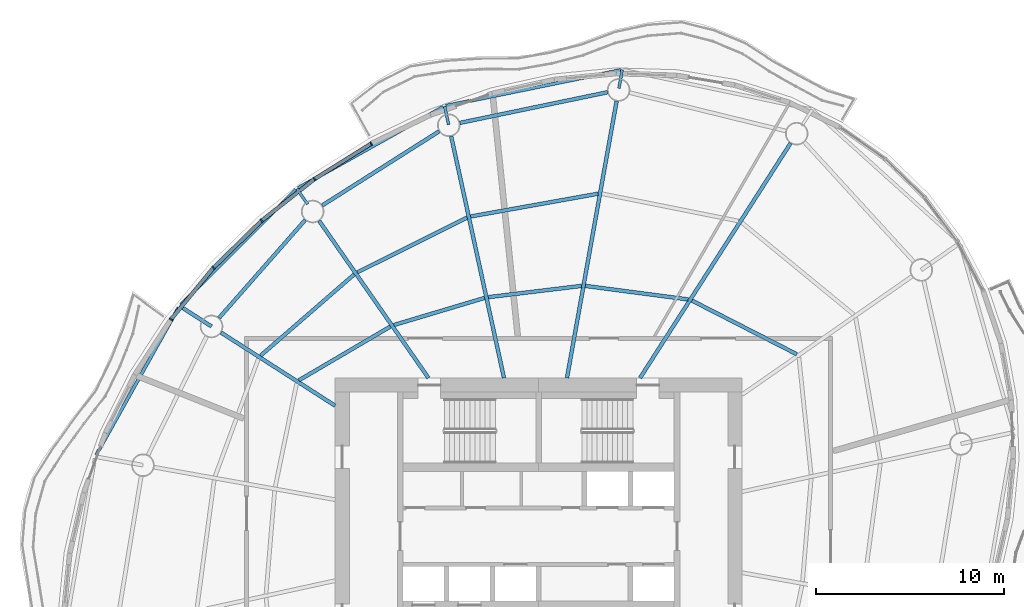
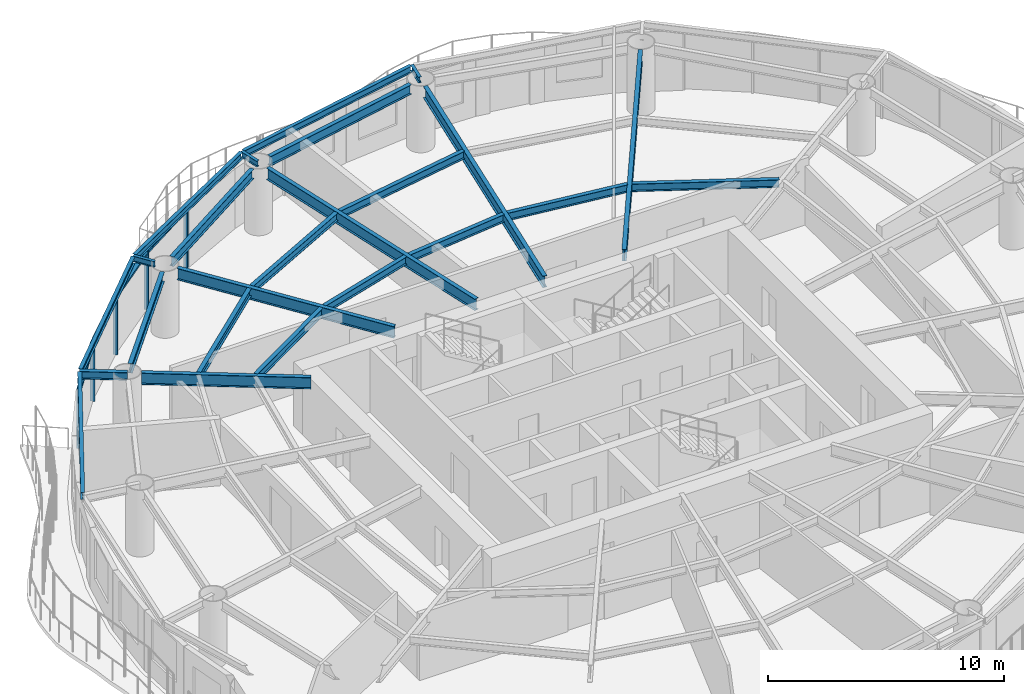
# One storey, part 5 of 14: 24 beams, 9 members, 4 elements without a shape of their own.
"""IFC4 building model written with IfcOpenShell, lengths in metres."""

import ifcopenshell
import ifcopenshell.guid

model = None  # the IFC model being written
_history = None  # IfcOwnerHistory: only IFC2X3 demands one
_inside = {}  # id of a spatial element -> (the spatial element, [elements in it])
_under = {}  # id of a project, library or spatial element -> (it, [spatial elements below it])
_declared = {}  # id of a project -> (the project, [libraries it declares])
_typed = {}  # id of a type object -> (the type object, [elements of that type])
_made_of = {}  # id of a material, layer set ... -> (it, [elements and type objects made of it])


def new_model(schema):
    """Start an empty IFC model of exactly this schema.

    Asked for "IFC4X3", IfcOpenShell would pick the latest addendum, in which some entities
    have other attributes; the version numbers below select the first issue.
    IFC2X3 requires an IfcOwnerHistory on every rooted entity: one is made here for all.
    """
    global model, _history
    if schema == "IFC4X3":
        model = ifcopenshell.file(schema_version=(4, 3, 0, 0))
    else:
        model = ifcopenshell.file(schema=schema)
    _inside.clear()
    _under.clear()
    _declared.clear()
    _typed.clear()
    _made_of.clear()
    _history = None
    if model.schema == "IFC2X3":
        org = make("IfcOrganization", Name="unknown")
        user = make(
            "IfcPersonAndOrganization",
            ThePerson=make("IfcPerson", FamilyName="unknown"),
            TheOrganization=org,
        )
        app = make(
            "IfcApplication",
            ApplicationDeveloper=org,
            Version="unknown",
            ApplicationFullName="unknown",
            ApplicationIdentifier="unknown",
        )
        _history = make(
            "IfcOwnerHistory",
            OwningUser=user,
            OwningApplication=app,
            ChangeAction="ADDED",
            CreationDate=0,
        )
    return model


def make(cls, **values):
    """One entity of the class cls with the attributes given. An attribute that is None is left unset."""
    return model.create_entity(
        cls, **{name: value for name, value in values.items() if value is not None}
    )


def rooted(cls, **values):
    """An entity with a GlobalId (a new one), such as an element, a storey or a relation."""
    return make(cls, GlobalId=ifcopenshell.guid.new(), OwnerHistory=_history, **values)


def si_unit(unit_type, name, prefix=None):
    """IfcSIUnit, for example si_unit("LENGTHUNIT", "METRE", prefix="MILLI")."""
    return make("IfcSIUnit", UnitType=unit_type, Prefix=prefix, Name=name)


def assignment(units):
    """IfcUnitAssignment: the units of a project."""
    return None if units is None else make("IfcUnitAssignment", Units=units)


def point(xyz):
    """IfcCartesianPoint."""
    return None if xyz is None else make("IfcCartesianPoint", Coordinates=xyz)


def direction(xyz):
    """IfcDirection."""
    return None if xyz is None else make("IfcDirection", DirectionRatios=xyz)


def frame(location, z_axis=None, x_axis=None):
    """IfcAxis2Placement3D, a coordinate frame: its origin and axes. An axis left out is left unset."""
    return make(
        "IfcAxis2Placement3D",
        Location=point(location),
        Axis=direction(z_axis),
        RefDirection=direction(x_axis),
    )


def frame_2d(location, x_axis=None):
    """IfcAxis2Placement2D, a coordinate frame in the plane: its origin and x axis."""
    return make(
        "IfcAxis2Placement2D", Location=point(location), RefDirection=direction(x_axis)
    )


def origin():
    """The frame at (0, 0, 0) with its axes left unset."""
    return frame((0.0, 0.0, 0.0))


def origin_2d():
    """The frame at (0, 0) in the plane with its x axis left unset."""
    return frame_2d((0.0, 0.0))


def place(relative_to, where):
    """IfcLocalPlacement: puts the frame where relative to a parent placement (None: the world)."""
    return make(
        "IfcLocalPlacement", PlacementRelTo=relative_to, RelativePlacement=where
    )


def context(
    kind, dimensions, precision=None, world=None, true_north=None, identifier=None
):
    """IfcGeometricRepresentationContext, for example the 3D "Model" context."""
    return make(
        "IfcGeometricRepresentationContext",
        ContextIdentifier=identifier,
        ContextType=kind,
        CoordinateSpaceDimension=dimensions,
        Precision=precision,
        WorldCoordinateSystem=world,
        TrueNorth=true_north,
    )


def subcontext(parent, identifier, kind, view, scale=None):
    """IfcGeometricRepresentationSubContext, for example "Body" below "Model"."""
    return make(
        "IfcGeometricRepresentationSubContext",
        ContextIdentifier=identifier,
        ContextType=kind,
        ParentContext=parent,
        TargetScale=scale,
        TargetView=view,
    )


def project(units=None, contexts=None):
    """IfcProject with its units and contexts."""
    return rooted(
        "IfcProject",
        Name="project",
        RepresentationContexts=contexts,
        UnitsInContext=assignment(units),
    )


def spatial(cls, under=None, at=None, **own):
    """A site, building, storey or space (cls), placed at a placement, below another one or the project."""
    s = rooted(cls, ObjectPlacement=at, **own)
    if under is not None:
        _under.setdefault(under.id(), (under, []))[1].append(s)
    return s


def profile(cls, at=None, kind="AREA", **sizes):
    """A parametric profile (cls). Its sizes go by their IFC names, for example OverallWidth=200.0."""
    return make(cls, ProfileType=kind, Position=at, **sizes)


def rectangle(**sizes):
    """IfcRectangleProfileDef."""
    return profile("IfcRectangleProfileDef", **sizes)


def i_section(**sizes):
    """IfcIShapeProfileDef."""
    return profile("IfcIShapeProfileDef", **sizes)


def extrude(swept, where, along, depth):
    """IfcExtrudedAreaSolid: the profile swept, set in the frame where, extruded along a direction by depth."""
    return make(
        "IfcExtrudedAreaSolid",
        SweptArea=swept,
        Position=where,
        ExtrudedDirection=direction(along),
        Depth=depth,
    )


def shape(context_of_items, identifier, shape_type, items):
    """IfcShapeRepresentation: the items that make up one representation, for example the "Body"."""
    return make(
        "IfcShapeRepresentation",
        ContextOfItems=context_of_items,
        RepresentationIdentifier=identifier,
        RepresentationType=shape_type,
        Items=items,
    )


def material(Name=None, Category=None):
    """IfcMaterial."""
    return make("IfcMaterial", Name=Name, Category=Category)


def material_profile(
    of_material, cross_section, Name=None, Category=None, Priority=None
):
    """IfcMaterialProfile: a cross section and its material."""
    return make(
        "IfcMaterialProfile",
        Name=Name,
        Material=of_material,
        Profile=cross_section,
        Priority=Priority,
        Category=Category,
    )


def profile_set(profiles, Name=None, composite=None):
    """IfcMaterialProfileSet."""
    return make(
        "IfcMaterialProfileSet",
        Name=Name,
        MaterialProfiles=profiles,
        CompositeProfile=composite,
    )


def made_of(thing, what):
    """Note that an element or type object is made of a material, layer set ...; save() writes the relation."""
    if what is not None:
        _made_of.setdefault(what.id(), (what, []))[1].append(thing)
    return thing


def type_object(cls, material=None, **own):
    """A type object (cls), such as IfcWallType, which elements share."""
    return made_of(rooted(cls, **own), material)


def element(
    cls,
    number,
    at=None,
    inside=None,
    cuts=None,
    type_object=None,
    material=None,
    context=None,
    identifier="Body",
    shape_type=None,
    held_by="IfcProductDefinitionShape",
    body=None,
    shapes=None,
    **own,
):
    """One element of the class cls, such as IfcWall. Its Tag is "e" and its number.

    at: its placement. inside: the storey or other place that contains it. cuts: it is an
    opening in that element (IfcRelVoidsElement). A single representation is given by context,
    identifier, shape_type and body (its items); several are given by shapes. held_by: the class
    of the entity that holds the representations. save() writes the other relations.
    """
    e = rooted(cls, Tag="e%d" % number, ObjectPlacement=at, **own)
    if body is not None:
        shapes = [shape(context, identifier, shape_type, body)]
    if shapes is not None:
        e.Representation = make(held_by, Representations=shapes)
    if inside is not None:
        _inside.setdefault(inside.id(), (inside, []))[1].append(e)
    if cuts is not None:
        rooted(
            "IfcRelVoidsElement", RelatingBuildingElement=cuts, RelatedOpeningElement=e
        )
    if type_object is not None:
        _typed.setdefault(type_object.id(), (type_object, []))[1].append(e)
    return made_of(e, material)


def aggregate(whole, parts):
    """IfcRelAggregates: a whole, such as a stair, and the parts it consists of."""
    return rooted("IfcRelAggregates", RelatingObject=whole, RelatedObjects=parts)


def save(model, path):
    """Write the relations noted so far, then the file.

    IfcRelAggregates (storeys below a building ...), IfcRelContainedInSpatialStructure (elements
    in a storey), IfcRelDefinesByType, IfcRelAssociatesMaterial and IfcRelDeclares: one each for
    every whole, place, type object, material and project.
    """
    for whole, parts in _under.values():
        aggregate(whole, parts)
    for where, things in _inside.values():
        rooted(
            "IfcRelContainedInSpatialStructure",
            RelatedElements=things,
            RelatingStructure=where,
        )
    for kind, things in _typed.values():
        rooted("IfcRelDefinesByType", RelatedObjects=things, RelatingType=kind)
    for what, things in _made_of.values():
        rooted("IfcRelAssociatesMaterial", RelatedObjects=things, RelatingMaterial=what)
    for by, libraries in _declared.values():
        rooted("IfcRelDeclares", RelatingContext=by, RelatedDefinitions=libraries)
    model.write(path)


model = new_model("IFC4")

# Units and contexts
model_context = context("Model", 3, precision=1e-05, world=origin(), true_north=direction((0.0, 1.0)))
body_context = subcontext(model_context, "Body", "Model", "MODEL_VIEW")
ifc_project = project(units=[si_unit("LENGTHUNIT", "METRE"), si_unit("AREAUNIT", "SQUARE_METRE"), si_unit("VOLUMEUNIT", "CUBIC_METRE"), si_unit("PLANEANGLEUNIT", "RADIAN"), si_unit("MASSUNIT", "GRAM", prefix="KILO")], contexts=[model_context])

# Site, building, storey
site_placement = place(None, origin())
site = spatial("IfcSite", under=ifc_project, at=site_placement, CompositionType="ELEMENT")
building_placement = place(site_placement, origin())
building = spatial("IfcBuilding", under=site, at=building_placement, Name="Vermilion Reach Broadcast Tower", CompositionType="ELEMENT")
storey_placement = place(building_placement, frame((0.0, 0.0, 199.300048828125)))
storey = spatial("IfcBuildingStorey", under=building, at=storey_placement, Name="L48", CompositionType="ELEMENT", Elevation=199.300048828125)

# Beams
ifc_material_1 = material(Name="Steel S355J2", Category="steel")
ifc_material_profile_1 = material_profile(ifc_material_1, i_section(OverallWidth=0.175048828125, OverallDepth=0.35009765625, WebThickness=0.007080078125, FlangeThickness=0.010986328125, at=origin_2d()), Name="S355J2 HN 350x175x7x11")
ifc_profile_set_1 = profile_set([ifc_material_profile_1], Name="Steel S355J2")
beam_type_1 = type_object("IfcBeamType", Name="EB4 HN 350x175x7x11", PredefinedType="BEAM", material=ifc_profile_set_1)
beam_1_placement = place(storey_placement, frame((-1.636962890625, 24.74609375, 3.27490234375), z_axis=(-0.979716887268, -0.200386678203, 0.0), x_axis=(0.200386678203, -0.979716887268, 0.0)))
element("IfcBeam", 1, at=beam_1_placement, inside=storey, type_object=beam_type_1, Name="Edge beam EB4-02", PredefinedType="BEAM", context=body_context, shape_type="SweptSolid", body=[
    extrude(i_section(OverallWidth=0.175048828125, OverallDepth=0.35009765625, WebThickness=0.007080078125, FlangeThickness=0.010986328125, at=origin_2d()), origin(), (0.0, 0.0, 1.0), 9.47265625),
])
beam_2_placement = place(storey_placement, frame((-11.059326171875, 22.794677734375, 3.27490234375), z_axis=(-0.872694473741, -0.488266684817, 0.0), x_axis=(0.488266684817, -0.872694473741, 0.0)))
element("IfcBeam", 2, at=beam_2_placement, inside=storey, type_object=beam_type_1, Name="Edge beam EB4-03", PredefinedType="BEAM", context=body_context, shape_type="SweptSolid", body=[
    extrude(i_section(OverallWidth=0.175048828125, OverallDepth=0.35009765625, WebThickness=0.007080078125, FlangeThickness=0.010986328125, at=origin_2d()), origin(), (0.0, 0.0, 1.0), 8.833251953125),
])
beam_3_placement = place(storey_placement, frame((-18.8876953125, 18.39111328125, 3.27490234375), z_axis=(-0.707884714629, -0.706327990946, 0.0), x_axis=(0.706327990946, -0.707884714629, 0.0)))
element("IfcBeam", 3, at=beam_3_placement, inside=storey, type_object=beam_type_1, Name="Edge beam EB4-04", PredefinedType="BEAM", context=body_context, shape_type="SweptSolid", body=[
    extrude(i_section(OverallWidth=0.175048828125, OverallDepth=0.35009765625, WebThickness=0.007080078125, FlangeThickness=0.010986328125, at=origin_2d()), origin(), (0.0, 0.0, 1.0), 8.625732421875),
])
beam_4_placement = place(storey_placement, frame((-25.114990234375, 12.138671875, 3.27490234375), z_axis=(-0.487630849957, -0.873049915051, 0.0), x_axis=(0.873049915051, -0.487630849957, 0.0)))
element("IfcBeam", 4, at=beam_4_placement, inside=storey, type_object=beam_type_1, Name="Edge beam EB4-05", PredefinedType="BEAM", context=body_context, shape_type="SweptSolid", body=[
    extrude(i_section(OverallWidth=0.175048828125, OverallDepth=0.35009765625, WebThickness=0.007080078125, FlangeThickness=0.010986328125, at=origin_2d()), origin(), (0.0, 0.0, 1.0), 8.9619140625),
])
ifc_material_2 = material(Name="Steel S355J2", Category="steel")
ifc_material_profile_2 = material_profile(ifc_material_2, i_section(OverallWidth=0.199951171875, OverallDepth=0.60009765625, WebThickness=0.010986328125, FlangeThickness=0.01708984375, at=origin_2d()), Name="S355J2 HN 600x200x11x17")
ifc_profile_set_2 = profile_set([ifc_material_profile_2], Name="Steel S355J2")
beam_type_2 = type_object("IfcBeamType", Name="G4 HN 600x200x11x17", PredefinedType="BEAM", material=ifc_profile_set_2)
beam_5_placement = place(storey_placement, frame((-0.613525390625, 8.39990234375, 3.14990234375), z_axis=(0.539796447586, 0.84179557802, 0.0), x_axis=(-0.84179557802, 0.539796447586, 0.0)))
element("IfcBeam", 5, at=beam_5_placement, inside=storey, type_object=beam_type_2, Name="Girder G4-01", PredefinedType="BEAM", context=body_context, shape_type="SweptSolid", body=[
    extrude(i_section(OverallWidth=0.199951171875, OverallDepth=0.60009765625, WebThickness=0.010986328125, FlangeThickness=0.01708984375, at=origin_2d()), origin(), (0.0, 0.0, 1.0), 14.8076171875),
])
beam_6_placement = place(storey_placement, frame((-4.4931640625, 8.39990234375, 3.14990234375), z_axis=(0.176574729047, 0.984287237072, 0.0), x_axis=(-0.984287237072, 0.176574729047, 0.0)))
element("IfcBeam", 6, at=beam_6_placement, inside=storey, type_object=beam_type_2, Name="Girder G4-02", PredefinedType="BEAM", context=body_context, shape_type="SweptSolid", body=[
    extrude(i_section(OverallWidth=0.199951171875, OverallDepth=0.60009765625, WebThickness=0.010986328125, FlangeThickness=0.01708984375, at=origin_2d()), origin(), (0.0, 0.0, 1.0), 14.935302734375),
])
beam_7_placement = place(storey_placement, frame((-7.836181640625, 8.39990234375, 3.14990234375), z_axis=(-0.213538346548, 0.976934682849, 0.0), x_axis=(-0.976934682849, -0.213538346548, 0.0)))
element("IfcBeam", 7, at=beam_7_placement, inside=storey, type_object=beam_type_2, Name="Girder G4-03", PredefinedType="BEAM", context=body_context, shape_type="SweptSolid", body=[
    extrude(i_section(OverallWidth=0.199951171875, OverallDepth=0.60009765625, WebThickness=0.010986328125, FlangeThickness=0.01708984375, at=origin_2d()), origin(), (0.0, 0.0, 1.0), 13.135498046875),
])
beam_8_placement = place(storey_placement, frame((-11.8447265625, 8.39990234375, 3.14990234375), z_axis=(-0.571134149017, 0.8208567377, 0.0), x_axis=(-0.8208567377, -0.571134149017, 0.0)))
element("IfcBeam", 8, at=beam_8_placement, inside=storey, type_object=beam_type_2, Name="Girder G4-04", PredefinedType="BEAM", context=body_context, shape_type="SweptSolid", body=[
    extrude(i_section(OverallWidth=0.199951171875, OverallDepth=0.60009765625, WebThickness=0.010986328125, FlangeThickness=0.01708984375, at=origin_2d()), origin(), (0.0, 0.0, 1.0), 10.16552734375),
])
beam_9_placement = place(storey_placement, frame((-16.800048828125, 6.925537109375, 3.14990234375), z_axis=(-0.841798504642, 0.539791883584, 0.0), x_axis=(-0.539791883584, -0.841798504642, 0.0)))
element("IfcBeam", 9, at=beam_9_placement, inside=storey, type_object=beam_type_2, Name="Girder G4-05", PredefinedType="BEAM", context=body_context, shape_type="SweptSolid", body=[
    extrude(i_section(OverallWidth=0.199951171875, OverallDepth=0.60009765625, WebThickness=0.010986328125, FlangeThickness=0.01708984375, at=origin_2d()), origin(), (0.0, 0.0, 1.0), 7.1962890625),
])
ifc_material_3 = material(Name="Steel S355J2", Category="steel")
ifc_material_profile_3 = material_profile(ifc_material_3, i_section(OverallWidth=0.199951171875, OverallDepth=0.39990234375, WebThickness=0.008056640625, FlangeThickness=0.012939453125, at=origin_2d()), Name="S355J2 HN 400x200x8x13")
ifc_profile_set_3 = profile_set([ifc_material_profile_3], Name="Steel S355J2")
beam_type_3 = type_object("IfcBeamType", Name="GC4 HN 400x200x8x13", PredefinedType="BEAM", material=ifc_profile_set_3)
beam_10_placement = place(storey_placement, frame((-23.36279296875, 11.134033203125, 3.25), z_axis=(-0.841793389635, 0.539799860288, 0.0), x_axis=(-0.539799860288, -0.841793389635, 0.0)))
element("IfcBeam", 10, at=beam_10_placement, inside=storey, type_object=beam_type_3, Name="Cantilever girder GC4-05", PredefinedType="BEAM", context=body_context, shape_type="SweptSolid", body=[
    extrude(i_section(OverallWidth=0.199951171875, OverallDepth=0.39990234375, WebThickness=0.008056640625, FlangeThickness=0.012939453125, at=origin_2d()), origin(), (0.0, 0.0, 1.0), 2.0234375),
])
ifc_material_4 = material(Name="Steel S355J2", Category="steel")
ifc_material_profile_4 = material_profile(ifc_material_4, i_section(OverallWidth=0.14990234375, OverallDepth=0.300048828125, WebThickness=0.006591796875, FlangeThickness=0.009033203125, at=origin_2d()), Name="S355J2 HN 300x150x6.5x9")
ifc_profile_set_4 = profile_set([ifc_material_profile_4], Name="Steel S355J2")
beam_type_4 = type_object("IfcBeamType", Name="GS4 HN 300x150x6.5x9", PredefinedType="BEAM", material=ifc_profile_set_4)
for number, where, z_axis, x_axis, name in (
    (11, (-1.734619140625, 23.778076171875, 3.300048828125), (0.176779303748, 0.984250515756, 0.0), (-0.984250515756, 0.176779303748, 0.0), "Cantilever stub GS4-02"),
    (12, (-10.77734375, 21.85595703125, 3.300048828125), (-0.213645906146, 0.976911166272, 0.0), (-0.976911166272, -0.213645906146, 0.0), "Cantilever stub GS4-03"),
    (13, (-18.2626953125, 17.6240234375, 3.300048828125), (-0.571264751294, 0.820765852073, 0.0), (-0.820765852073, -0.571264751294, 0.0), "Cantilever stub GS4-04"),
):
    element("IfcBeam", number, at=place(storey_placement, frame(where, z_axis=z_axis, x_axis=x_axis)), inside=storey, type_object=beam_type_4, Name=name, PredefinedType="BEAM", context=body_context, shape_type="SweptSolid", body=[
        extrude(i_section(OverallWidth=0.14990234375, OverallDepth=0.300048828125, WebThickness=0.006591796875, FlangeThickness=0.009033203125, at=origin_2d()), origin(), (0.0, 0.0, 1.0), 1.0),
    ])
ifc_material_5 = material(Name="Steel S355J2", Category="steel")
ifc_material_profile_5 = material_profile(ifc_material_5, i_section(OverallWidth=0.199951171875, OverallDepth=0.5, WebThickness=0.010009765625, FlangeThickness=0.01611328125, at=origin_2d()), Name="S355J2 HN 500x200x10x16")
ifc_profile_set_5 = profile_set([ifc_material_profile_5], Name="Steel S355J2")
beam_type_5 = type_object("IfcBeamType", Name="RB4 HN 500x200x10x16", PredefinedType="BEAM", material=ifc_profile_set_5)
beam_11_placement = place(storey_placement, frame((-2.337646484375, 23.569091796875, 3.199951171875), z_axis=(-0.97912342484, -0.203266620302, 0.0), x_axis=(0.203266620302, -0.97912342484, 0.0)))
element("IfcBeam", 14, at=beam_11_placement, inside=storey, type_object=beam_type_5, Name="Ring beam RB4-02", PredefinedType="BEAM", context=body_context, shape_type="SweptSolid", body=[
    extrude(i_section(OverallWidth=0.199951171875, OverallDepth=0.5, WebThickness=0.010009765625, FlangeThickness=0.01611328125, at=origin_2d()), origin(), (0.0, 0.0, 1.0), 8.01123046875),
])
beam_12_placement = place(storey_placement, frame((-11.27587890625, 21.497314453125, 3.199951171875), z_axis=(-0.84446426774, -0.535611893549, 0.0), x_axis=(0.535611893549, -0.84446426774, 0.0)))
element("IfcBeam", 15, at=beam_12_placement, inside=storey, type_object=beam_type_5, Name="Ring beam RB4-03", PredefinedType="BEAM", context=body_context, shape_type="SweptSolid", body=[
    extrude(i_section(OverallWidth=0.199951171875, OverallDepth=0.5, WebThickness=0.010009765625, FlangeThickness=0.01611328125, at=origin_2d()), origin(), (0.0, 0.0, 1.0), 7.3544921875),
])
beam_13_placement = place(storey_placement, frame((-18.3896484375, 16.786376953125, 3.199951171875), z_axis=(-0.660565141761, -0.750768735024, 0.0), x_axis=(0.750768735024, -0.660565141761, 0.0)))
element("IfcBeam", 16, at=beam_13_placement, inside=storey, type_object=beam_type_5, Name="Ring beam RB4-04", PredefinedType="BEAM", context=body_context, shape_type="SweptSolid", body=[
    extrude(i_section(OverallWidth=0.199951171875, OverallDepth=0.5, WebThickness=0.010009765625, FlangeThickness=0.01611328125, at=origin_2d()), origin(), (0.0, 0.0, 1.0), 6.9287109375),
])
ifc_material_6 = material(Name="Steel S355J2", Category="steel")
ifc_material_profile_6 = material_profile(ifc_material_6, i_section(OverallWidth=0.199951171875, OverallDepth=0.39990234375, WebThickness=0.008056640625, FlangeThickness=0.012939453125, at=origin_2d()), Name="S355J2 HN 400x200x8x13")
ifc_profile_set_6 = profile_set([ifc_material_profile_6], Name="Steel S355J2")
beam_type_6 = type_object("IfcBeamType", Name="SB4 HN 400x200x8x13", PredefinedType="BEAM", material=ifc_profile_set_6)
beam_14_placement = place(storey_placement, frame((1.94140625, 12.5693359375, 3.25), z_axis=(-0.991458070019, 0.130425823341, 0.0), x_axis=(-0.130425823341, -0.991458070019, 0.0)))
element("IfcBeam", 17, at=beam_14_placement, inside=storey, type_object=beam_type_6, Name="Secondary beam SB4-01-1", PredefinedType="BEAM", context=body_context, shape_type="SweptSolid", body=[
    extrude(i_section(OverallWidth=0.199951171875, OverallDepth=0.39990234375, WebThickness=0.008056640625, FlangeThickness=0.012939453125, at=origin_2d()), origin(), (0.0, 0.0, 1.0), 5.50341796875),
])
beam_15_placement = place(storey_placement, frame((-3.718017578125, 13.28759765625, 3.25), z_axis=(-0.99278788328, -0.119884189168, 0.0), x_axis=(0.119884189168, -0.99278788328, 0.0)))
element("IfcBeam", 18, at=beam_15_placement, inside=storey, type_object=beam_type_6, Name="Secondary beam SB4-02-1", PredefinedType="BEAM", context=body_context, shape_type="SweptSolid", body=[
    extrude(i_section(OverallWidth=0.199951171875, OverallDepth=0.39990234375, WebThickness=0.008056640625, FlangeThickness=0.012939453125, at=origin_2d()), origin(), (0.0, 0.0, 1.0), 4.9892578125),
])
beam_16_placement = place(storey_placement, frame((-2.840087890625, 18.181640625, 3.25), z_axis=(-0.984415281892, -0.175859468829, 0.0), x_axis=(0.175859468829, -0.984415281892, 0.0)))
element("IfcBeam", 19, at=beam_16_placement, inside=storey, type_object=beam_type_6, Name="Secondary beam SB4-02-2", PredefinedType="BEAM", context=body_context, shape_type="SweptSolid", body=[
    extrude(i_section(OverallWidth=0.199951171875, OverallDepth=0.39990234375, WebThickness=0.008056640625, FlangeThickness=0.012939453125, at=origin_2d()), origin(), (0.0, 0.0, 1.0), 6.874755859375),
])
beam_17_placement = place(storey_placement, frame((-8.8671875, 12.64892578125, 3.25), z_axis=(-0.958173460215, -0.28618808525, 0.0), x_axis=(0.28618808525, -0.958173460215, 0.0)))
element("IfcBeam", 20, at=beam_17_placement, inside=storey, type_object=beam_type_6, Name="Secondary beam SB4-03-1", PredefinedType="BEAM", context=body_context, shape_type="SweptSolid", body=[
    extrude(i_section(OverallWidth=0.199951171875, OverallDepth=0.39990234375, WebThickness=0.008056640625, FlangeThickness=0.012939453125, at=origin_2d()), origin(), (0.0, 0.0, 1.0), 5.02197265625),
])
beam_18_placement = place(storey_placement, frame((-9.79833984375, 16.908935546875, 3.25), z_axis=(-0.895183615542, -0.445697536974, 0.0), x_axis=(0.445697536974, -0.895183615542, 0.0)))
element("IfcBeam", 21, at=beam_18_placement, inside=storey, type_object=beam_type_6, Name="Secondary beam SB4-03-2", PredefinedType="BEAM", context=body_context, shape_type="SweptSolid", body=[
    extrude(i_section(OverallWidth=0.199951171875, OverallDepth=0.39990234375, WebThickness=0.008056640625, FlangeThickness=0.012939453125, at=origin_2d()), origin(), (0.0, 0.0, 1.0), 6.508544921875),
])
beam_19_placement = place(storey_placement, frame((-13.866455078125, 11.130615234375, 3.25), z_axis=(-0.862172572268, -0.506614701356, 0.0), x_axis=(0.506614701356, -0.862172572268, 0.0)))
element("IfcBeam", 22, at=beam_19_placement, inside=storey, type_object=beam_type_6, Name="Secondary beam SB4-04-1", PredefinedType="BEAM", context=body_context, shape_type="SweptSolid", body=[
    extrude(i_section(OverallWidth=0.199951171875, OverallDepth=0.39990234375, WebThickness=0.008056640625, FlangeThickness=0.012939453125, at=origin_2d()), origin(), (0.0, 0.0, 1.0), 5.632568359375),
])
beam_20_placement = place(storey_placement, frame((-15.791259765625, 13.89697265625, 3.25), z_axis=(-0.755129308567, -0.655575874589, 0.0), x_axis=(0.655575874589, -0.755129308567, 0.0)))
element("IfcBeam", 23, at=beam_20_placement, inside=storey, type_object=beam_type_6, Name="Secondary beam SB4-04-2", PredefinedType="BEAM", context=body_context, shape_type="SweptSolid", body=[
    extrude(i_section(OverallWidth=0.199951171875, OverallDepth=0.39990234375, WebThickness=0.008056640625, FlangeThickness=0.012939453125, at=origin_2d()), origin(), (0.0, 0.0, 1.0), 6.57958984375),
])
beam_21_placement = place(storey_placement, frame((7.707763671875, 9.659423828125, 3.25), z_axis=(-0.89015575218, 0.455656380249, 0.0), x_axis=(-0.455656380249, -0.89015575218, 0.0)))
element("IfcBeam", 24, at=beam_21_placement, inside=storey, type_object=beam_type_6, Name="Secondary beam SB4-16-1", PredefinedType="BEAM", context=body_context, shape_type="SweptSolid", body=[
    extrude(i_section(OverallWidth=0.199951171875, OverallDepth=0.39990234375, WebThickness=0.008056640625, FlangeThickness=0.012939453125, at=origin_2d()), origin(), (0.0, 0.0, 1.0), 6.25439453125),
])

# Curtain wall, member
ifc_material_7 = material(Name="Low-e laminated clear glass in aluminium frame", Category="aluminium")
curtain_wall_type = type_object("IfcCurtainWallType", Name="Slot curtain wall", PredefinedType="NOTDEFINED", material=ifc_material_7)
placement = place(storey_placement, origin())
curtain_wall_1 = element("IfcCurtainWall", 25, at=placement, inside=storey, type_object=curtain_wall_type, Name="Slot curtain wall L48 10", PredefinedType="NOTDEFINED")
ifc_material_8 = material(Name="Anodised aluminium", Category="aluminium")
ifc_material_profile_7 = material_profile(ifc_material_8, rectangle(XDim=0.199951171875, YDim=0.080078125, at=origin_2d()), Name="Slot mullion 80 x 200")
ifc_profile_set_7 = profile_set([ifc_material_profile_7], Name="Anodised aluminium")
member_type_1 = type_object("IfcMemberType", Name="Slot mullion 80 x 200", PredefinedType="MULLION", material=ifc_profile_set_7)
member_1_placement = place(storey_placement, frame((-14.888427734375, 20.84130859375, 0.0), z_axis=(0.0, 0.0, 1.0), x_axis=(0.482961562977, -0.875641552627, 0.0)))
member_1 = element("IfcMember", 26, at=member_1_placement, type_object=member_type_1, Name="Slot mullion L48 10", PredefinedType="MULLION", context=body_context, shape_type="SweptSolid", body=[
    extrude(rectangle(XDim=0.199951171875, YDim=0.080078125, at=origin_2d()), origin(), (0.0, 0.0, 1.0), 3.050048828125),
])

curtain_wall_2 = element("IfcCurtainWall", 27, at=placement, inside=storey, type_object=curtain_wall_type, Name="Slot curtain wall L48 11", PredefinedType="NOTDEFINED")
member_2_placement = place(storey_placement, frame((-17.898681640625, 18.95849609375, 0.0), z_axis=(0.0, 0.0, 1.0), x_axis=(0.57520606383, -0.818008547714, 0.0)))
member_2 = element("IfcMember", 28, at=member_2_placement, type_object=member_type_1, Name="Slot mullion L48 11", PredefinedType="MULLION", context=body_context, shape_type="SweptSolid", body=[
    extrude(rectangle(XDim=0.199951171875, YDim=0.080078125, at=origin_2d()), origin(), (0.0, 0.0, 1.0), 3.050048828125),
])

curtain_wall_3 = element("IfcCurtainWall", 29, at=placement, inside=storey, type_object=curtain_wall_type, Name="Slot curtain wall L48 12", PredefinedType="NOTDEFINED")
member_3_placement = place(storey_placement, frame((-20.704833984375, 16.75, 0.0), z_axis=(0.0, 0.0, 1.0), x_axis=(0.659739355677, -0.751494499362, 0.0)))
member_3 = element("IfcMember", 30, at=member_3_placement, type_object=member_type_1, Name="Slot mullion L48 12", PredefinedType="MULLION", context=body_context, shape_type="SweptSolid", body=[
    extrude(rectangle(XDim=0.199951171875, YDim=0.080078125, at=origin_2d()), origin(), (0.0, 0.0, 1.0), 3.050048828125),
])

# Curtain wall, members
curtain_wall_4 = element("IfcCurtainWall", 31, at=placement, inside=storey, type_object=curtain_wall_type, Name="Slot curtain wall L48 13", PredefinedType="NOTDEFINED")
member_4_placement = place(storey_placement, frame((-23.25830078125, 14.25341796875, 0.0), z_axis=(0.0, 0.0, 1.0), x_axis=(0.736639517395, -0.676285606391, 0.0)))
member_4 = element("IfcMember", 32, at=member_4_placement, type_object=member_type_1, Name="Slot mullion L48 13", PredefinedType="MULLION", context=body_context, shape_type="SweptSolid", body=[
    extrude(rectangle(XDim=0.199951171875, YDim=0.080078125, at=origin_2d()), origin(), (0.0, 0.0, 1.0), 3.050048828125),
])
member_5_placement = place(storey_placement, frame((-25.514892578125, 11.51220703125, 0.0), z_axis=(0.0, 0.0, 1.0), x_axis=(0.805731904266, -0.592280422137, 0.0)))
member_5 = element("IfcMember", 33, at=member_5_placement, type_object=member_type_1, Name="Slot mullion L48 14", PredefinedType="MULLION", context=body_context, shape_type="SweptSolid", body=[
    extrude(rectangle(XDim=0.199951171875, YDim=0.080078125, at=origin_2d()), origin(), (0.0, 0.0, 1.0), 3.050048828125),
])

# Member
ifc_material_9 = material(Name="Anodised aluminium", Category="aluminium")
ifc_material_profile_8 = material_profile(ifc_material_9, rectangle(XDim=0.199951171875, YDim=0.10009765625, at=origin_2d()), Name="Slot transom 200 x 100")
ifc_profile_set_8 = profile_set([ifc_material_profile_8], Name="Anodised aluminium")
member_type_2 = type_object("IfcMemberType", Name="Slot transom 200 x 100", PredefinedType="USERDEFINED", material=ifc_profile_set_8)
member_6_placement = place(storey_placement, frame((-14.92236328125, 20.820068359375, 3.0), z_axis=(-0.847824366425, -0.530277138576, 0.0), x_axis=(0.530277138576, -0.847824366425, 0.0)))
member_6 = element("IfcMember", 34, at=member_6_placement, type_object=member_type_2, Name="Slot transom L48 10.1", ObjectType="TRANSOM", PredefinedType="USERDEFINED", context=body_context, shape_type="SweptSolid", body=[
    extrude(rectangle(XDim=0.199951171875, YDim=0.10009765625, at=origin_2d()), origin(), (0.0, 0.0, 1.0), 3.470458984375),
])

aggregate(curtain_wall_1, [member_1, member_6])

member_7_placement = place(storey_placement, frame((-17.93017578125, 18.933837890625, 3.0), z_axis=(-0.785784160328, -0.618500811137, 0.0), x_axis=(0.618500811137, -0.785784160328, 0.0)))
member_7 = element("IfcMember", 35, at=member_7_placement, type_object=member_type_2, Name="Slot transom L48 11.1", ObjectType="TRANSOM", PredefinedType="USERDEFINED", context=body_context, shape_type="SweptSolid", body=[
    extrude(rectangle(XDim=0.199951171875, YDim=0.10009765625, at=origin_2d()), origin(), (0.0, 0.0, 1.0), 3.490966796875),
])

aggregate(curtain_wall_2, [member_2, member_7])

member_8_placement = place(storey_placement, frame((-20.7333984375, 16.721923828125, 3.0), z_axis=(-0.714999677397, -0.699124782369, 0.0), x_axis=(0.699124782369, -0.714999677397, 0.0)))
member_8 = element("IfcMember", 36, at=member_8_placement, type_object=member_type_2, Name="Slot transom L48 12.1", ObjectType="TRANSOM", PredefinedType="USERDEFINED", context=body_context, shape_type="SweptSolid", body=[
    extrude(rectangle(XDim=0.199951171875, YDim=0.10009765625, at=origin_2d()), origin(), (0.0, 0.0, 1.0), 3.490966796875),
])

aggregate(curtain_wall_3, [member_3, member_8])

member_9_placement = place(storey_placement, frame((-23.28369140625, 14.222412109375, 3.0), z_axis=(-0.635571628522, -0.772041906257, 0.0), x_axis=(0.772041906257, -0.635571628522, 0.0)))
member_9 = element("IfcMember", 37, at=member_9_placement, type_object=member_type_2, Name="Slot transom L48 13.1", ObjectType="TRANSOM", PredefinedType="USERDEFINED", context=body_context, shape_type="SweptSolid", body=[
    extrude(rectangle(XDim=0.199951171875, YDim=0.10009765625, at=origin_2d()), origin(), (0.0, 0.0, 1.0), 3.470703125),
])

aggregate(curtain_wall_4, [member_4, member_5, member_9])

save(model, "model.ifc")
